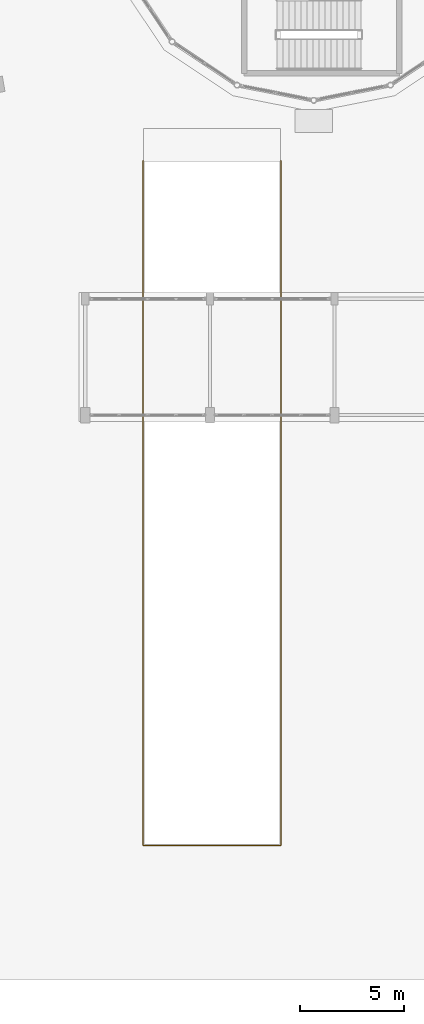
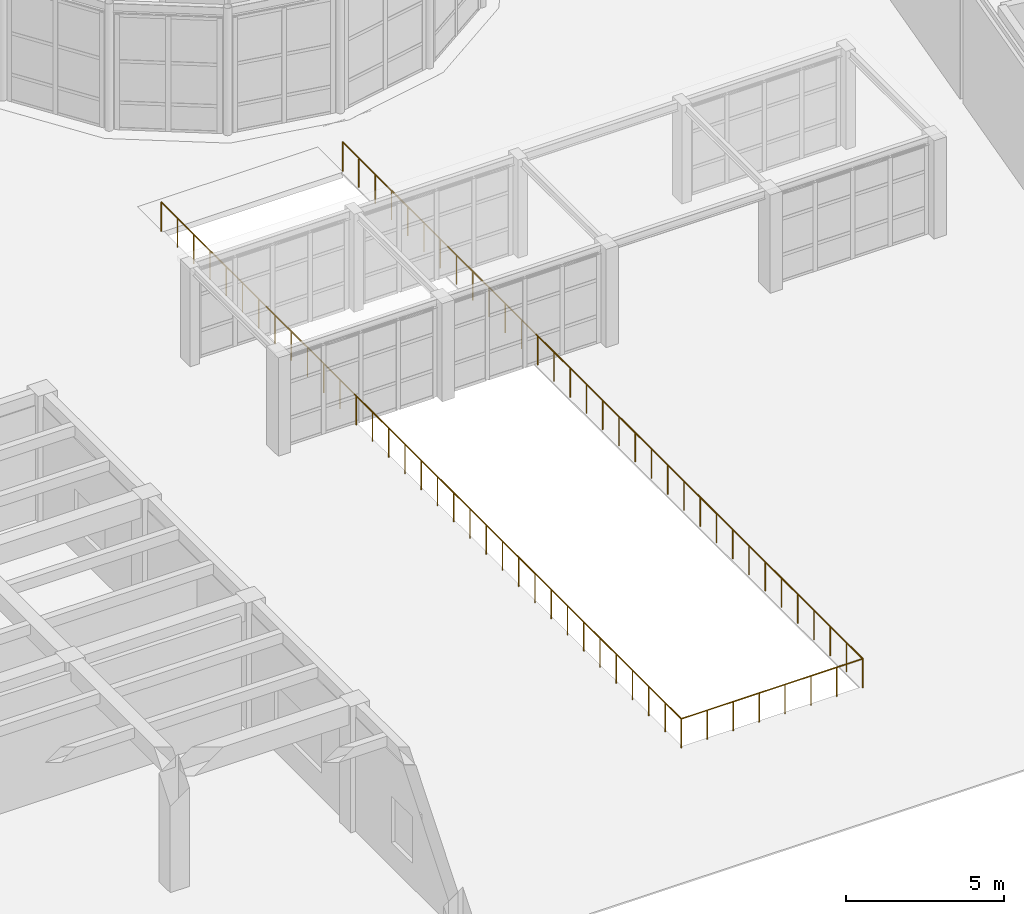
# One storey, part 52 of 57: 1 railing.
"""IFC4 building model written with IfcOpenShell, lengths in metres."""

from ifc_helpers import new_model, si_unit, direction, frame, origin, origin_2d, place, context, subcontext, project, spatial, circle, extrude, material, type_object, element, save


model = new_model("IFC4")

# Units and contexts
model_context = context("Model", 3, precision=1e-05, world=origin(), true_north=direction((0.0, 1.0)))
body_context = subcontext(model_context, "Body", "Model", "MODEL_VIEW")
ifc_project = project(units=[si_unit("LENGTHUNIT", "METRE"), si_unit("AREAUNIT", "SQUARE_METRE"), si_unit("VOLUMEUNIT", "CUBIC_METRE"), si_unit("PLANEANGLEUNIT", "RADIAN"), si_unit("MASSUNIT", "GRAM", prefix="KILO")], contexts=[model_context])

# Site, building, storey
site_placement = place(None, origin())
site = spatial("IfcSite", under=ifc_project, at=site_placement, CompositionType="ELEMENT")
building_placement = place(site_placement, origin())
building = spatial("IfcBuilding", under=site, at=building_placement, Name="Kharisveld Research Institute", CompositionType="ELEMENT")
storey_placement = place(building_placement, origin())
storey = spatial("IfcBuildingStorey", under=building, at=storey_placement, Name="L00", CompositionType="ELEMENT", Elevation=0.0)

# Railing
ifc_material = material(Name="Steel S355JR", Category="steel")
railing_type = type_object("IfcRailingType", Name="RL_GRD_STR", PredefinedType="GUARDRAIL", material=ifc_material)
railing_placement = place(storey_placement, frame((51.280029296875, 38.25, 0.0)))
element("IfcRailing", 1, at=railing_placement, inside=storey, type_object=railing_type, Name="RLG:L00:CAR_TRENCH", PredefinedType="GUARDRAIL", context=body_context, shape_type="SweptSolid", body=[
    extrude(circle(Radius=0.02392578125, at=origin_2d()), frame((0.0, 0.0, 1.1259765625), z_axis=(0.0, -1.0, 0.0), x_axis=(1.0, 0.0, 0.0)), (0.0, 0.0, 1.0), 32.969970703125),
    extrude(circle(Radius=0.02392578125, at=origin_2d()), frame((0.0, -32.969970703125, 1.1259765625), z_axis=(1.0, 0.0, 0.0), x_axis=(0.0, 1.0, 0.0)), (0.0, 0.0, 1.0), 6.639892578125),
    extrude(circle(Radius=0.02392578125, at=origin_2d()), frame((6.639892578125, -32.969970703125, 1.1259765625), z_axis=(0.0, 1.0, 0.0), x_axis=(-1.0, 0.0, 0.0)), (0.0, 0.0, 1.0), 32.969970703125),
    extrude(circle(Radius=0.02099609375, at=origin_2d()), origin(), (0.0, 0.0, 1.0), 1.101806640625),
    extrude(circle(Radius=0.02099609375, at=origin_2d()), frame((0.0, -1.0302734375, 0.0)), (0.0, 0.0, 1.0), 1.101806640625),
    extrude(circle(Radius=0.02099609375, at=origin_2d()), frame((0.0, -2.060546875, 0.0)), (0.0, 0.0, 1.0), 1.101806640625),
    extrude(circle(Radius=0.02099609375, at=origin_2d()), frame((0.0, -3.0908203125, 0.0)), (0.0, 0.0, 1.0), 1.101806640625),
    extrude(circle(Radius=0.02099609375, at=origin_2d()), frame((0.0, -4.121337890625, 0.0)), (0.0, 0.0, 1.0), 1.101806640625),
    extrude(circle(Radius=0.02099609375, at=origin_2d()), frame((0.0, -5.151611328125, 0.0)), (0.0, 0.0, 1.0), 1.101806640625),
    extrude(circle(Radius=0.02099609375, at=origin_2d()), frame((0.0, -6.181884765625, 0.0)), (0.0, 0.0, 1.0), 1.101806640625),
    extrude(circle(Radius=0.02099609375, at=origin_2d()), frame((0.0, -7.212158203125, 0.0)), (0.0, 0.0, 1.0), 1.101806640625),
    extrude(circle(Radius=0.02099609375, at=origin_2d()), frame((0.0, -8.242431640625, 0.0)), (0.0, 0.0, 1.0), 1.101806640625),
    extrude(circle(Radius=0.02099609375, at=origin_2d()), frame((0.0, -9.272705078125, 0.0)), (0.0, 0.0, 1.0), 1.101806640625),
    extrude(circle(Radius=0.02099609375, at=origin_2d()), frame((0.0, -10.30322265625, 0.0)), (0.0, 0.0, 1.0), 1.101806640625),
    extrude(circle(Radius=0.02099609375, at=origin_2d()), frame((0.0, -11.33349609375, 0.0)), (0.0, 0.0, 1.0), 1.101806640625),
    extrude(circle(Radius=0.02099609375, at=origin_2d()), frame((0.0, -12.36376953125, 0.0)), (0.0, 0.0, 1.0), 1.101806640625),
    extrude(circle(Radius=0.02099609375, at=origin_2d()), frame((0.0, -13.39404296875, 0.0)), (0.0, 0.0, 1.0), 1.101806640625),
    extrude(circle(Radius=0.02099609375, at=origin_2d()), frame((0.0, -14.42431640625, 0.0)), (0.0, 0.0, 1.0), 1.101806640625),
    extrude(circle(Radius=0.02099609375, at=origin_2d()), frame((0.0, -15.45458984375, 0.0)), (0.0, 0.0, 1.0), 1.101806640625),
    extrude(circle(Radius=0.02099609375, at=origin_2d()), frame((0.0, -16.48486328125, 0.0)), (0.0, 0.0, 1.0), 1.101806640625),
    extrude(circle(Radius=0.02099609375, at=origin_2d()), frame((0.0, -17.515380859375, 0.0)), (0.0, 0.0, 1.0), 1.101806640625),
    extrude(circle(Radius=0.02099609375, at=origin_2d()), frame((0.0, -18.545654296875, 0.0)), (0.0, 0.0, 1.0), 1.101806640625),
    extrude(circle(Radius=0.02099609375, at=origin_2d()), frame((0.0, -19.575927734375, 0.0)), (0.0, 0.0, 1.0), 1.101806640625),
    extrude(circle(Radius=0.02099609375, at=origin_2d()), frame((0.0, -20.606201171875, 0.0)), (0.0, 0.0, 1.0), 1.101806640625),
    extrude(circle(Radius=0.02099609375, at=origin_2d()), frame((0.0, -21.636474609375, 0.0)), (0.0, 0.0, 1.0), 1.101806640625),
    extrude(circle(Radius=0.02099609375, at=origin_2d()), frame((0.0, -22.666748046875, 0.0)), (0.0, 0.0, 1.0), 1.101806640625),
    extrude(circle(Radius=0.02099609375, at=origin_2d()), frame((0.0, -23.697265625, 0.0)), (0.0, 0.0, 1.0), 1.101806640625),
    extrude(circle(Radius=0.02099609375, at=origin_2d()), frame((0.0, -24.7275390625, 0.0)), (0.0, 0.0, 1.0), 1.101806640625),
    extrude(circle(Radius=0.02099609375, at=origin_2d()), frame((0.0, -25.7578125, 0.0)), (0.0, 0.0, 1.0), 1.101806640625),
    extrude(circle(Radius=0.02099609375, at=origin_2d()), frame((0.0, -26.7880859375, 0.0)), (0.0, 0.0, 1.0), 1.101806640625),
    extrude(circle(Radius=0.02099609375, at=origin_2d()), frame((0.0, -27.818359375, 0.0)), (0.0, 0.0, 1.0), 1.101806640625),
    extrude(circle(Radius=0.02099609375, at=origin_2d()), frame((0.0, -28.8486328125, 0.0)), (0.0, 0.0, 1.0), 1.101806640625),
    extrude(circle(Radius=0.02099609375, at=origin_2d()), frame((0.0, -29.879150390625, 0.0)), (0.0, 0.0, 1.0), 1.101806640625),
    extrude(circle(Radius=0.02099609375, at=origin_2d()), frame((0.0, -30.909423828125, 0.0)), (0.0, 0.0, 1.0), 1.101806640625),
    extrude(circle(Radius=0.02099609375, at=origin_2d()), frame((0.0, -31.939697265625, 0.0)), (0.0, 0.0, 1.0), 1.101806640625),
    extrude(circle(Radius=0.02099609375, at=origin_2d()), frame((0.0, -32.969970703125, 0.0)), (0.0, 0.0, 1.0), 1.101806640625),
    extrude(circle(Radius=0.02099609375, at=origin_2d()), frame((0.948486328125, -32.969970703125, 0.0)), (0.0, 0.0, 1.0), 1.101806640625),
    extrude(circle(Radius=0.02099609375, at=origin_2d()), frame((1.897216796875, -32.969970703125, 0.0)), (0.0, 0.0, 1.0), 1.101806640625),
    extrude(circle(Radius=0.02099609375, at=origin_2d()), frame((2.845703125, -32.969970703125, 0.0)), (0.0, 0.0, 1.0), 1.101806640625),
    extrude(circle(Radius=0.02099609375, at=origin_2d()), frame((3.794189453125, -32.969970703125, 0.0)), (0.0, 0.0, 1.0), 1.101806640625),
    extrude(circle(Radius=0.02099609375, at=origin_2d()), frame((4.74267578125, -32.969970703125, 0.0)), (0.0, 0.0, 1.0), 1.101806640625),
    extrude(circle(Radius=0.02099609375, at=origin_2d()), frame((5.69140625, -32.969970703125, 0.0)), (0.0, 0.0, 1.0), 1.101806640625),
    extrude(circle(Radius=0.02099609375, at=origin_2d()), frame((6.639892578125, -32.969970703125, 0.0)), (0.0, 0.0, 1.0), 1.101806640625),
    extrude(circle(Radius=0.02099609375, at=origin_2d()), frame((6.639892578125, -31.939697265625, 0.0)), (0.0, 0.0, 1.0), 1.101806640625),
    extrude(circle(Radius=0.02099609375, at=origin_2d()), frame((6.639892578125, -30.909423828125, 0.0)), (0.0, 0.0, 1.0), 1.101806640625),
    extrude(circle(Radius=0.02099609375, at=origin_2d()), frame((6.639892578125, -29.879150390625, 0.0)), (0.0, 0.0, 1.0), 1.101806640625),
    extrude(circle(Radius=0.02099609375, at=origin_2d()), frame((6.639892578125, -28.8486328125, 0.0)), (0.0, 0.0, 1.0), 1.101806640625),
    extrude(circle(Radius=0.02099609375, at=origin_2d()), frame((6.639892578125, -27.818359375, 0.0)), (0.0, 0.0, 1.0), 1.101806640625),
    extrude(circle(Radius=0.02099609375, at=origin_2d()), frame((6.639892578125, -26.7880859375, 0.0)), (0.0, 0.0, 1.0), 1.101806640625),
    extrude(circle(Radius=0.02099609375, at=origin_2d()), frame((6.639892578125, -25.7578125, 0.0)), (0.0, 0.0, 1.0), 1.101806640625),
    extrude(circle(Radius=0.02099609375, at=origin_2d()), frame((6.639892578125, -24.7275390625, 0.0)), (0.0, 0.0, 1.0), 1.101806640625),
    extrude(circle(Radius=0.02099609375, at=origin_2d()), frame((6.639892578125, -23.697265625, 0.0)), (0.0, 0.0, 1.0), 1.101806640625),
    extrude(circle(Radius=0.02099609375, at=origin_2d()), frame((6.639892578125, -22.666748046875, 0.0)), (0.0, 0.0, 1.0), 1.101806640625),
    extrude(circle(Radius=0.02099609375, at=origin_2d()), frame((6.639892578125, -21.636474609375, 0.0)), (0.0, 0.0, 1.0), 1.101806640625),
    extrude(circle(Radius=0.02099609375, at=origin_2d()), frame((6.639892578125, -20.606201171875, 0.0)), (0.0, 0.0, 1.0), 1.101806640625),
    extrude(circle(Radius=0.02099609375, at=origin_2d()), frame((6.639892578125, -19.575927734375, 0.0)), (0.0, 0.0, 1.0), 1.101806640625),
    extrude(circle(Radius=0.02099609375, at=origin_2d()), frame((6.639892578125, -18.545654296875, 0.0)), (0.0, 0.0, 1.0), 1.101806640625),
    extrude(circle(Radius=0.02099609375, at=origin_2d()), frame((6.639892578125, -17.515380859375, 0.0)), (0.0, 0.0, 1.0), 1.101806640625),
    extrude(circle(Radius=0.02099609375, at=origin_2d()), frame((6.639892578125, -16.48486328125, 0.0)), (0.0, 0.0, 1.0), 1.101806640625),
    extrude(circle(Radius=0.02099609375, at=origin_2d()), frame((6.639892578125, -15.45458984375, 0.0)), (0.0, 0.0, 1.0), 1.101806640625),
    extrude(circle(Radius=0.02099609375, at=origin_2d()), frame((6.639892578125, -14.42431640625, 0.0)), (0.0, 0.0, 1.0), 1.101806640625),
    extrude(circle(Radius=0.02099609375, at=origin_2d()), frame((6.639892578125, -13.39404296875, 0.0)), (0.0, 0.0, 1.0), 1.101806640625),
    extrude(circle(Radius=0.02099609375, at=origin_2d()), frame((6.639892578125, -12.36376953125, 0.0)), (0.0, 0.0, 1.0), 1.101806640625),
    extrude(circle(Radius=0.02099609375, at=origin_2d()), frame((6.639892578125, -11.33349609375, 0.0)), (0.0, 0.0, 1.0), 1.101806640625),
    extrude(circle(Radius=0.02099609375, at=origin_2d()), frame((6.639892578125, -10.30322265625, 0.0)), (0.0, 0.0, 1.0), 1.101806640625),
    extrude(circle(Radius=0.02099609375, at=origin_2d()), frame((6.639892578125, -9.272705078125, 0.0)), (0.0, 0.0, 1.0), 1.101806640625),
    extrude(circle(Radius=0.02099609375, at=origin_2d()), frame((6.639892578125, -8.242431640625, 0.0)), (0.0, 0.0, 1.0), 1.101806640625),
    extrude(circle(Radius=0.02099609375, at=origin_2d()), frame((6.639892578125, -7.212158203125, 0.0)), (0.0, 0.0, 1.0), 1.101806640625),
    extrude(circle(Radius=0.02099609375, at=origin_2d()), frame((6.639892578125, -6.181884765625, 0.0)), (0.0, 0.0, 1.0), 1.101806640625),
    extrude(circle(Radius=0.02099609375, at=origin_2d()), frame((6.639892578125, -5.151611328125, 0.0)), (0.0, 0.0, 1.0), 1.101806640625),
    extrude(circle(Radius=0.02099609375, at=origin_2d()), frame((6.639892578125, -4.121337890625, 0.0)), (0.0, 0.0, 1.0), 1.101806640625),
    extrude(circle(Radius=0.02099609375, at=origin_2d()), frame((6.639892578125, -3.0908203125, 0.0)), (0.0, 0.0, 1.0), 1.101806640625),
    extrude(circle(Radius=0.02099609375, at=origin_2d()), frame((6.639892578125, -2.060546875, 0.0)), (0.0, 0.0, 1.0), 1.101806640625),
    extrude(circle(Radius=0.02099609375, at=origin_2d()), frame((6.639892578125, -1.0302734375, 0.0)), (0.0, 0.0, 1.0), 1.101806640625),
    extrude(circle(Radius=0.02099609375, at=origin_2d()), frame((6.639892578125, 0.0, 0.0)), (0.0, 0.0, 1.0), 1.101806640625),
])

save(model, "model.ifc")
